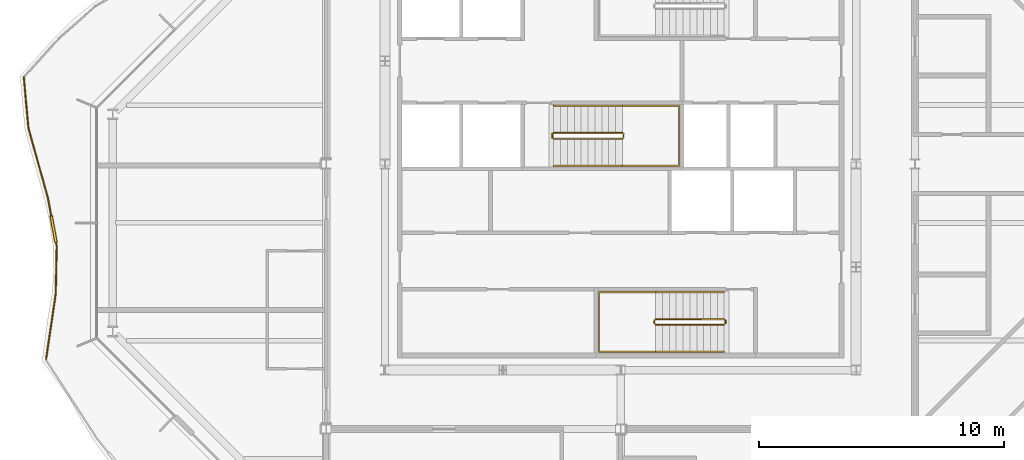
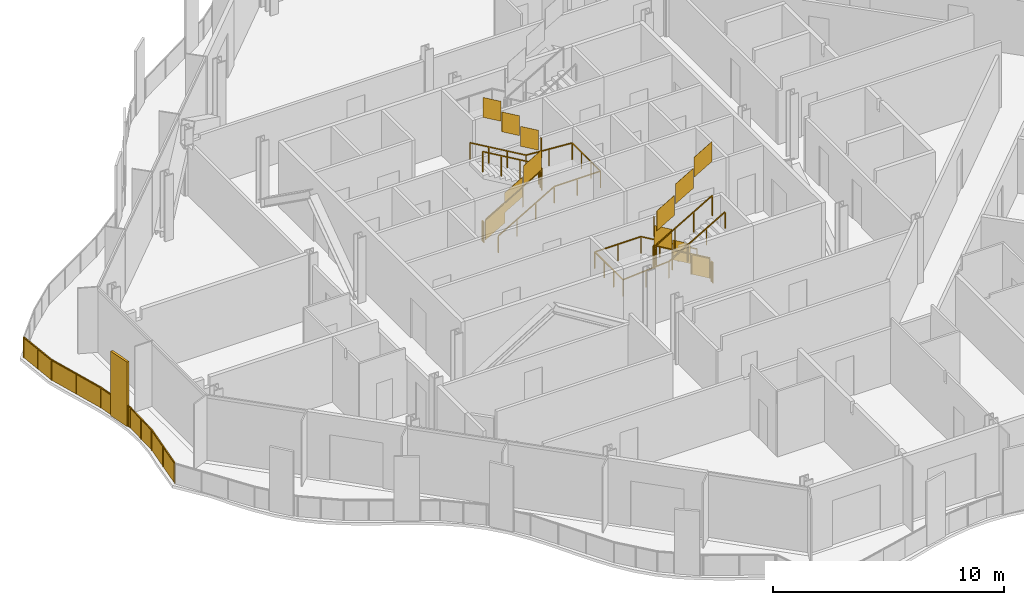
# One storey, part 14 of 17: 7 railings.
"""IFC4 building model written with IfcOpenShell, lengths in metres."""

from ifc_helpers import new_model, si_unit, direction, frame, origin, origin_2d, place, context, subcontext, project, spatial, polyline, rectangle, outline, extrude, material, type_object, element, save


model = new_model("IFC4")

# Units and contexts
model_context = context("Model", 3, precision=1e-05, world=origin(), true_north=direction((0.0, 1.0)))
body_context = subcontext(model_context, "Body", "Model", "MODEL_VIEW")
ifc_project = project(units=[si_unit("LENGTHUNIT", "METRE"), si_unit("AREAUNIT", "SQUARE_METRE"), si_unit("VOLUMEUNIT", "CUBIC_METRE"), si_unit("PLANEANGLEUNIT", "RADIAN"), si_unit("MASSUNIT", "GRAM", prefix="KILO")], contexts=[model_context])

# Site, building, storey
site_placement = place(None, origin())
site = spatial("IfcSite", under=ifc_project, at=site_placement, CompositionType="ELEMENT")
building_placement = place(site_placement, origin())
building = spatial("IfcBuilding", under=site, at=building_placement, Name="Cairn Pilgrim Tower", CompositionType="ELEMENT")
storey_placement = place(building_placement, frame((0.0, 0.0, 228.60009765625)))
storey = spatial("IfcBuildingStorey", under=building, at=storey_placement, Name="L58", CompositionType="ELEMENT", Elevation=228.60009765625)

# Railings
ifc_material_1 = material(Name="Bronze anodised aluminium rail, posts and fin screens with laminated glass infill", Category="aluminium")
railing_type_1 = type_object("IfcRailingType", Name="BALCONY GUARD WITH FIN SCREENS", PredefinedType="GUARDRAIL", material=ifc_material_1)
railing_1_placement = place(storey_placement, frame((-17.125, 5.94091796875, 0.0)))
element("IfcRailing", 1, at=railing_1_placement, inside=storey, type_object=railing_type_1, Name="Balcony guard BGF-7 with fin screens", PredefinedType="GUARDRAIL", context=body_context, shape_type="SweptSolid", body=[
    extrude(rectangle(XDim=0.050048828125, YDim=0.050048828125, at=origin_2d()), frame((0.0, 0.0, 1.0751953125), z_axis=(0.089700508569, -0.99596878403, 0.0), x_axis=(0.99596878403, 0.089700508569, 0.0)), (0.0, 0.0, 1.0), 2.08203125),
    extrude(rectangle(XDim=0.050048828125, YDim=0.050048828125, at=origin_2d()), frame((0.186767578125, -2.07373046875, 1.0751953125), z_axis=(0.268445787799, -0.963294793411, 0.0), x_axis=(0.963294793411, 0.268445787799, 0.0)), (0.0, 0.0, 1.0), 2.98291015625),
    extrude(rectangle(XDim=1.10009765625, YDim=0.110107421875, at=origin_2d()), frame((1.21533203125, -6.2001953125, 0.0), z_axis=(0.0, 0.0, 1.0), x_axis=(0.178765682425, -0.983891676348, 0.0)), (0.0, 0.0, 1.0), 3.39990234375),
    extrude(rectangle(XDim=0.050048828125, YDim=0.050048828125, at=origin_2d()), frame((0.987548828125, -4.947265625, 1.0751953125), z_axis=(0.178765682425, -0.983891676348, 0.0), x_axis=(0.983891676348, 0.178765682425, 0.0)), (0.0, 0.0, 1.0), 0.7236328125),
    extrude(rectangle(XDim=0.050048828125, YDim=0.050048828125, at=origin_2d()), frame((1.3134765625, -6.741455078125, 1.0751953125), z_axis=(0.178765682425, -0.983891676348, 0.0), x_axis=(0.983891676348, 0.178765682425, 0.0)), (0.0, 0.0, 1.0), 0.14990234375),
    extrude(rectangle(XDim=0.050048828125, YDim=0.050048828125, at=origin_2d()), frame((1.34033203125, -6.888916015625, 1.0751953125), z_axis=(-0.020209305606, -0.999795771129, 0.0), x_axis=(0.999795771129, -0.020209305606, 0.0)), (0.0, 0.0, 1.0), 1.945068359375),
    extrude(rectangle(XDim=0.050048828125, YDim=0.050048828125, at=origin_2d()), frame((1.301025390625, -8.83349609375, 1.0751953125), z_axis=(-0.146349262135, -0.989232982402, 0.0), x_axis=(0.989232982402, -0.146349262135, 0.0)), (0.0, 0.0, 1.0), 2.662353515625),
    extrude(rectangle(XDim=0.050048828125, YDim=0.050048828125, at=origin_2d()), origin(), (0.0, 0.0, 1.0), 1.050048828125),
    extrude(rectangle(XDim=0.050048828125, YDim=0.050048828125, at=origin_2d()), frame((0.09326171875, -1.036865234375, 0.0)), (0.0, 0.0, 1.0), 1.050048828125),
    extrude(rectangle(XDim=0.050048828125, YDim=0.050048828125, at=origin_2d()), frame((0.186767578125, -2.07373046875, 0.0)), (0.0, 0.0, 1.0), 1.050048828125),
    extrude(rectangle(XDim=0.050048828125, YDim=0.050048828125, at=origin_2d()), frame((0.587158203125, -3.510498046875, 0.0)), (0.0, 0.0, 1.0), 1.050048828125),
    extrude(rectangle(XDim=0.050048828125, YDim=0.050048828125, at=origin_2d()), frame((0.987548828125, -4.947265625, 0.0)), (0.0, 0.0, 1.0), 1.050048828125),
    extrude(rectangle(XDim=0.050048828125, YDim=0.050048828125, at=origin_2d()), frame((1.1123046875, -5.634521484375, 0.0)), (0.0, 0.0, 1.0), 1.050048828125),
    extrude(rectangle(XDim=0.050048828125, YDim=0.050048828125, at=origin_2d()), frame((1.318115234375, -6.76611328125, 0.0)), (0.0, 0.0, 1.0), 1.050048828125),
    extrude(rectangle(XDim=0.050048828125, YDim=0.050048828125, at=origin_2d()), frame((1.34033203125, -6.888916015625, 0.0)), (0.0, 0.0, 1.0), 1.050048828125),
    extrude(rectangle(XDim=0.050048828125, YDim=0.050048828125, at=origin_2d()), frame((1.32080078125, -7.861328125, 0.0)), (0.0, 0.0, 1.0), 1.050048828125),
    extrude(rectangle(XDim=0.050048828125, YDim=0.050048828125, at=origin_2d()), frame((1.301025390625, -8.83349609375, 0.0)), (0.0, 0.0, 1.0), 1.050048828125),
    extrude(rectangle(XDim=0.050048828125, YDim=0.050048828125, at=origin_2d()), frame((1.106201171875, -10.150390625, 0.0)), (0.0, 0.0, 1.0), 1.050048828125),
    extrude(rectangle(XDim=0.050048828125, YDim=0.050048828125, at=origin_2d()), frame((0.911376953125, -11.46728515625, 0.0)), (0.0, 0.0, 1.0), 1.050048828125),
    extrude(outline(polyline([(0.02490234375, 0.0), (1.01611328125, 0.0), (1.01611328125, 1.050048828125), (0.02490234375, 1.050048828125), (0.02490234375, 0.0)])), frame((0.005859375, 0.00048828125, 0.0), z_axis=(-0.99596878403, -0.089700508569, 0.0), x_axis=(0.089700508569, -0.99596878403, 0.0)), (0.0, 0.0, 1.0), 0.011962890625),
    extrude(outline(polyline([(0.02490234375, 0.0), (1.01611328125, 0.0), (1.01611328125, 1.050048828125), (0.02490234375, 1.050048828125), (0.02490234375, 0.0)])), frame((0.099365234375, -1.036376953125, 0.0), z_axis=(-0.99596878403, -0.089700508569, 0.0), x_axis=(0.089700508569, -0.99596878403, 0.0)), (0.0, 0.0, 1.0), 0.011962890625),
    extrude(outline(polyline([(0.02490234375, 0.0), (1.466552734375, 0.0), (1.466552734375, 1.050048828125), (0.02490234375, 1.050048828125), (0.02490234375, 0.0)])), frame((0.192626953125, -2.072021484375, 0.0), z_axis=(-0.963294793411, -0.268445787799, 0.0), x_axis=(0.268445787799, -0.963294793411, 0.0)), (0.0, 0.0, 1.0), 0.011962890625),
    extrude(outline(polyline([(0.02490234375, 0.0), (1.466552734375, 0.0), (1.466552734375, 1.050048828125), (0.02490234375, 1.050048828125), (0.02490234375, 0.0)])), frame((0.593017578125, -3.5087890625, 0.0), z_axis=(-0.963294793411, -0.268445787799, 0.0), x_axis=(0.268445787799, -0.963294793411, 0.0)), (0.0, 0.0, 1.0), 0.011962890625),
    extrude(outline(polyline([(0.02490234375, 0.0), (0.673583984375, 0.0), (0.673583984375, 1.050048828125), (0.02490234375, 1.050048828125), (0.02490234375, 0.0)])), frame((0.993408203125, -4.9462890625, 0.0), z_axis=(-0.983891676348, -0.178765682425, 0.0), x_axis=(0.178765682425, -0.983891676348, 0.0)), (0.0, 0.0, 1.0), 0.011962890625),
    extrude(outline(polyline([(0.02490234375, 0.0), (0.099853515625, 0.0), (0.099853515625, 1.050048828125), (0.02490234375, 1.050048828125), (0.02490234375, 0.0)])), frame((1.323974609375, -6.764892578125, 0.0), z_axis=(-0.983891676348, -0.178765682425, 0.0), x_axis=(0.178765682425, -0.983891676348, 0.0)), (0.0, 0.0, 1.0), 0.011962890625),
    extrude(outline(polyline([(0.02490234375, 0.0), (0.947509765625, 0.0), (0.947509765625, 1.050048828125), (0.02490234375, 1.050048828125), (0.02490234375, 0.0)])), frame((1.34619140625, -6.888916015625, 0.0), z_axis=(-0.999795771129, 0.020209305606, 0.0), x_axis=(-0.020209305606, -0.999795771129, 0.0)), (0.0, 0.0, 1.0), 0.011962890625),
    extrude(outline(polyline([(0.02490234375, 0.0), (0.947509765625, 0.0), (0.947509765625, 1.050048828125), (0.02490234375, 1.050048828125), (0.02490234375, 0.0)])), frame((1.32666015625, -7.861328125, 0.0), z_axis=(-0.999795771129, 0.020209305606, 0.0), x_axis=(-0.020209305606, -0.999795771129, 0.0)), (0.0, 0.0, 1.0), 0.011962890625),
    extrude(outline(polyline([(0.02490234375, 0.0), (1.30615234375, 0.0), (1.30615234375, 1.050048828125), (0.02490234375, 1.050048828125), (0.02490234375, 0.0)])), frame((1.306884765625, -8.83447265625, 0.0), z_axis=(-0.989232982402, 0.146349262135, 0.0), x_axis=(-0.146349262135, -0.989232982402, 0.0)), (0.0, 0.0, 1.0), 0.011962890625),
    extrude(outline(polyline([(0.02490234375, 0.0), (1.30615234375, 0.0), (1.30615234375, 1.050048828125), (0.02490234375, 1.050048828125), (0.02490234375, 0.0)])), frame((1.112060546875, -10.1513671875, 0.0), z_axis=(-0.989232982402, 0.146349262135, 0.0), x_axis=(-0.146349262135, -0.989232982402, 0.0)), (0.0, 0.0, 1.0), 0.011962890625),
])
ifc_material_2 = material(Name="Painted steel", Category="steel")
railing_type_2 = type_object("IfcRailingType", Name="STAIR GUARD 1100", PredefinedType="GUARDRAIL", material=ifc_material_2)
railing_2_placement = place(storey_placement, frame((11.425048828125, -3.925048828125, 0.16357421875)))
element("IfcRailing", 2, at=railing_2_placement, inside=storey, type_object=railing_type_2, Name="L58 ST-A stair guard 1", PredefinedType="GUARDRAIL", context=body_context, shape_type="SweptSolid", body=[
    extrude(rectangle(XDim=0.048095703125, YDim=0.048095703125, at=origin_2d()), frame((0.0, 0.0, 1.076171875), z_axis=(-0.863393664356, 0.0, 0.504530851732), x_axis=(0.0, -1.0, 0.0)), (0.0, 0.0, 1.0), 3.2431640625),
    extrude(rectangle(XDim=0.048095703125, YDim=0.048095703125, at=origin_2d()), frame((-2.800048828125, 0.0, 2.71240234375), z_axis=(-0.707106781187, -0.707106781187, 0.0), x_axis=(0.707106781187, -0.707106781187, 0.0)), (0.0, 0.0, 1.0), 0.07080078125),
    extrude(rectangle(XDim=0.048095703125, YDim=0.048095703125, at=origin_2d()), frame((-2.85009765625, -0.050048828125, 2.71240234375), z_axis=(0.0, -1.0, 0.0), x_axis=(1.0, 0.0, 0.0)), (0.0, 0.0, 1.0), 0.125),
    extrude(rectangle(XDim=0.048095703125, YDim=0.048095703125, at=origin_2d()), frame((-2.85009765625, -0.175048828125, 2.71240234375), z_axis=(0.280563532951, -0.279194930351, 0.91833234444), x_axis=(0.705375805398, 0.708833529934, 0.0)), (0.0, 0.0, 1.0), 0.178466796875),
    extrude(rectangle(XDim=0.048095703125, YDim=0.048095703125, at=origin_2d()), frame((-2.800048828125, -0.224853515625, 2.8759765625), z_axis=(0.863393664356, 0.0, 0.504530851732), x_axis=(0.0, 1.0, 0.0)), (0.0, 0.0, 1.0), 3.2431640625),
    extrude(rectangle(XDim=0.0419921875, YDim=0.0419921875, at=origin_2d()), origin(), (0.0, 0.0, 1.0), 1.052001953125),
    extrude(rectangle(XDim=0.0419921875, YDim=0.0419921875, at=origin_2d()), frame((-0.933349609375, 0.0, 0.54541015625)), (0.0, 0.0, 1.0), 1.052001953125),
    extrude(rectangle(XDim=0.0419921875, YDim=0.0419921875, at=origin_2d()), frame((-1.86669921875, 0.0, 1.0908203125)), (0.0, 0.0, 1.0), 1.052001953125),
    extrude(rectangle(XDim=0.0419921875, YDim=0.0419921875, at=origin_2d()), frame((-2.800048828125, 0.0, 1.63623046875)), (0.0, 0.0, 1.0), 1.052001953125),
    extrude(rectangle(XDim=0.0419921875, YDim=0.0419921875, at=origin_2d()), frame((-2.85009765625, -0.050048828125, 1.63623046875)), (0.0, 0.0, 1.0), 1.052001953125),
    extrude(rectangle(XDim=0.0419921875, YDim=0.0419921875, at=origin_2d()), frame((-2.85009765625, -0.175048828125, 1.63623046875)), (0.0, 0.0, 1.0), 1.052001953125),
    extrude(rectangle(XDim=0.0419921875, YDim=0.0419921875, at=origin_2d()), frame((-2.800048828125, -0.224853515625, 1.800048828125)), (0.0, 0.0, 1.0), 1.052001953125),
    extrude(rectangle(XDim=0.0419921875, YDim=0.0419921875, at=origin_2d()), frame((-1.86669921875, -0.224853515625, 2.345458984375)), (0.0, 0.0, 1.0), 1.052001953125),
    extrude(rectangle(XDim=0.0419921875, YDim=0.0419921875, at=origin_2d()), frame((-0.933349609375, -0.224853515625, 2.890869140625)), (0.0, 0.0, 1.0), 1.052001953125),
    extrude(rectangle(XDim=0.0419921875, YDim=0.0419921875, at=origin_2d()), frame((0.0, -0.224853515625, 3.436279296875)), (0.0, 0.0, 1.0), 1.052001953125),
    extrude(outline(polyline([(0.02099609375, 0.01220703125), (0.912353515625, 0.533203125), (0.912353515625, 1.585205078125), (0.02099609375, 1.064208984375), (0.02099609375, 0.01220703125)])), frame((0.0, -0.005859375, 0.0), z_axis=(0.0, 1.0, 0.0), x_axis=(-1.0, 0.0, 0.0)), (0.0, 0.0, 1.0), 0.011962890625),
    extrude(outline(polyline([(0.02099609375, 0.5576171875), (0.912353515625, 1.07861328125), (0.912353515625, 2.130615234375), (0.02099609375, 1.609619140625), (0.02099609375, 0.5576171875)])), frame((-0.933349609375, -0.005859375, 0.54541015625), z_axis=(0.0, 1.0, 0.0), x_axis=(-1.0, 0.0, 0.0)), (0.0, 0.0, 1.0), 0.011962890625),
    extrude(outline(polyline([(0.02099609375, 1.10302734375), (0.912353515625, 1.6240234375), (0.912353515625, 2.676025390625), (0.02099609375, 2.155029296875), (0.02099609375, 1.10302734375)])), frame((-1.86669921875, -0.005859375, 1.0908203125), z_axis=(0.0, 1.0, 0.0), x_axis=(-1.0, 0.0, 0.0)), (0.0, 0.0, 1.0), 0.011962890625),
    extrude(outline(polyline([(0.02099609375, 1.63623046875), (0.10400390625, 1.63623046875), (0.10400390625, 2.688232421875), (0.02099609375, 2.688232421875), (0.02099609375, 1.63623046875)])), frame((-2.84423828125, -0.050048828125, 1.63623046875), z_axis=(-1.0, 0.0, 0.0), x_axis=(0.0, -1.0, 0.0)), (0.0, 0.0, 1.0), 0.011962890625),
    extrude(outline(polyline([(0.02099609375, 1.812255859375), (0.912353515625, 2.333251953125), (0.912353515625, 3.38525390625), (0.02099609375, 2.8642578125), (0.02099609375, 1.812255859375)])), frame((-2.800048828125, -0.21875, 1.800048828125), z_axis=(0.0, -1.0, 0.0), x_axis=(1.0, 0.0, 0.0)), (0.0, 0.0, 1.0), 0.011962890625),
    extrude(outline(polyline([(0.02099609375, 2.357666015625), (0.912353515625, 2.878662109375), (0.912353515625, 3.9306640625), (0.02099609375, 3.40966796875), (0.02099609375, 2.357666015625)])), frame((-1.86669921875, -0.21875, 2.345458984375), z_axis=(0.0, -1.0, 0.0), x_axis=(1.0, 0.0, 0.0)), (0.0, 0.0, 1.0), 0.011962890625),
    extrude(outline(polyline([(0.02099609375, 2.903076171875), (0.912353515625, 3.424072265625), (0.912353515625, 4.47607421875), (0.02099609375, 3.955078125), (0.02099609375, 2.903076171875)])), frame((-0.933349609375, -0.21875, 2.890869140625), z_axis=(0.0, -1.0, 0.0), x_axis=(1.0, 0.0, 0.0)), (0.0, 0.0, 1.0), 0.011962890625),
])
railing_3_placement = place(storey_placement, frame((11.47509765625, -3.97509765625, 0.0)))
element("IfcRailing", 3, at=railing_3_placement, inside=storey, type_object=railing_type_2, Name="L58 ST-A stair guard 2", PredefinedType="GUARDRAIL", context=body_context, shape_type="SweptSolid", body=[
    extrude(rectangle(XDim=0.048095703125, YDim=0.048095703125, at=origin_2d()), frame((0.0, 0.0, 1.076171875), z_axis=(0.0, -1.0, 0.0), x_axis=(1.0, 0.0, 0.0)), (0.0, 0.0, 1.0), 0.125),
    extrude(rectangle(XDim=0.0419921875, YDim=0.0419921875, at=origin_2d()), origin(), (0.0, 0.0, 1.0), 1.052001953125),
    extrude(rectangle(XDim=0.0419921875, YDim=0.0419921875, at=origin_2d()), frame((0.0, -0.125, 0.0)), (0.0, 0.0, 1.0), 1.052001953125),
    extrude(outline(polyline([(0.02099609375, 0.0), (0.10400390625, 0.0), (0.10400390625, 1.052001953125), (0.02099609375, 1.052001953125), (0.02099609375, 0.0)])), frame((0.005859375, 0.0, 0.0), z_axis=(-1.0, 0.0, 0.0), x_axis=(0.0, -1.0, 0.0)), (0.0, 0.0, 1.0), 0.011962890625),
])
railing_4_placement = place(storey_placement, frame((4.47509765625, 3.425048828125, 0.16357421875)))
element("IfcRailing", 4, at=railing_4_placement, inside=storey, type_object=railing_type_2, Name="L58 ST-B stair guard 1", PredefinedType="GUARDRAIL", context=body_context, shape_type="SweptSolid", body=[
    extrude(rectangle(XDim=0.048095703125, YDim=0.048095703125, at=origin_2d()), frame((0.0, 0.0, 1.076171875), z_axis=(0.863374499697, 0.0, 0.504563646405), x_axis=(0.0, 1.0, 0.0)), (0.0, 0.0, 1.0), 3.242919921875),
    extrude(rectangle(XDim=0.048095703125, YDim=0.048095703125, at=origin_2d()), frame((2.7998046875, 0.0, 2.71240234375), z_axis=(0.707106781187, 0.707106781187, 0.0), x_axis=(-0.707106781187, 0.707106781187, 0.0)), (0.0, 0.0, 1.0), 0.07080078125),
    extrude(rectangle(XDim=0.048095703125, YDim=0.048095703125, at=origin_2d()), frame((2.849853515625, 0.050048828125, 2.71240234375), z_axis=(0.0, 1.0, 0.0), x_axis=(-1.0, 0.0, 0.0)), (0.0, 0.0, 1.0), 0.14990234375),
    extrude(rectangle(XDim=0.048095703125, YDim=0.048095703125, at=origin_2d()), frame((2.849853515625, 0.199951171875, 2.71240234375), z_axis=(-0.280456126637, 0.280456126637, 0.917980785237), x_axis=(-0.707106781187, -0.707106781187, 0.0)), (0.0, 0.0, 1.0), 0.178466796875),
    extrude(rectangle(XDim=0.048095703125, YDim=0.048095703125, at=origin_2d()), frame((2.7998046875, 0.25, 2.8759765625), z_axis=(-0.863374499697, 0.0, 0.504563646405), x_axis=(0.0, -1.0, 0.0)), (0.0, 0.0, 1.0), 3.242919921875),
    extrude(rectangle(XDim=0.0419921875, YDim=0.0419921875, at=origin_2d()), origin(), (0.0, 0.0, 1.0), 1.052001953125),
    extrude(rectangle(XDim=0.0419921875, YDim=0.0419921875, at=origin_2d()), frame((0.933349609375, 0.0, 0.54541015625)), (0.0, 0.0, 1.0), 1.052001953125),
    extrude(rectangle(XDim=0.0419921875, YDim=0.0419921875, at=origin_2d()), frame((1.866455078125, 0.0, 1.0908203125)), (0.0, 0.0, 1.0), 1.052001953125),
    extrude(rectangle(XDim=0.0419921875, YDim=0.0419921875, at=origin_2d()), frame((2.7998046875, 0.0, 1.63623046875)), (0.0, 0.0, 1.0), 1.052001953125),
    extrude(rectangle(XDim=0.0419921875, YDim=0.0419921875, at=origin_2d()), frame((2.849853515625, 0.050048828125, 1.63623046875)), (0.0, 0.0, 1.0), 1.052001953125),
    extrude(rectangle(XDim=0.0419921875, YDim=0.0419921875, at=origin_2d()), frame((2.849853515625, 0.199951171875, 1.63623046875)), (0.0, 0.0, 1.0), 1.052001953125),
    extrude(rectangle(XDim=0.0419921875, YDim=0.0419921875, at=origin_2d()), frame((2.7998046875, 0.25, 1.800048828125)), (0.0, 0.0, 1.0), 1.052001953125),
    extrude(rectangle(XDim=0.0419921875, YDim=0.0419921875, at=origin_2d()), frame((1.866455078125, 0.25, 2.345458984375)), (0.0, 0.0, 1.0), 1.052001953125),
    extrude(rectangle(XDim=0.0419921875, YDim=0.0419921875, at=origin_2d()), frame((0.933349609375, 0.25, 2.890869140625)), (0.0, 0.0, 1.0), 1.052001953125),
    extrude(rectangle(XDim=0.0419921875, YDim=0.0419921875, at=origin_2d()), frame((0.0, 0.25, 3.436279296875)), (0.0, 0.0, 1.0), 1.052001953125),
    extrude(outline(polyline([(0.02099609375, 0.01220703125), (0.912353515625, 0.533203125), (0.912353515625, 1.585205078125), (0.02099609375, 1.064208984375), (0.02099609375, 0.01220703125)])), frame((0.0, 0.005859375, 0.0), z_axis=(0.0, -1.0, 0.0), x_axis=(1.0, 0.0, 0.0)), (0.0, 0.0, 1.0), 0.011962890625),
    extrude(outline(polyline([(0.02099609375, 0.5576171875), (0.912353515625, 1.07861328125), (0.912353515625, 2.130615234375), (0.02099609375, 1.609619140625), (0.02099609375, 0.5576171875)])), frame((0.933349609375, 0.005859375, 0.54541015625), z_axis=(0.0, -1.0, 0.0), x_axis=(1.0, 0.0, 0.0)), (0.0, 0.0, 1.0), 0.011962890625),
    extrude(outline(polyline([(0.02099609375, 1.10302734375), (0.912353515625, 1.6240234375), (0.912353515625, 2.676025390625), (0.02099609375, 2.155029296875), (0.02099609375, 1.10302734375)])), frame((1.866455078125, 0.005859375, 1.0908203125), z_axis=(0.0, -1.0, 0.0), x_axis=(1.0, 0.0, 0.0)), (0.0, 0.0, 1.0), 0.011962890625),
    extrude(outline(polyline([(0.02099609375, 1.63623046875), (0.12890625, 1.63623046875), (0.12890625, 2.688232421875), (0.02099609375, 2.688232421875), (0.02099609375, 1.63623046875)])), frame((2.84375, 0.050048828125, 1.63623046875), z_axis=(1.0, 0.0, 0.0), x_axis=(0.0, 1.0, 0.0)), (0.0, 0.0, 1.0), 0.011962890625),
    extrude(outline(polyline([(0.02099609375, 1.812255859375), (0.912353515625, 2.333251953125), (0.912353515625, 3.38525390625), (0.02099609375, 2.8642578125), (0.02099609375, 1.812255859375)])), frame((2.7998046875, 0.244140625, 1.800048828125), z_axis=(0.0, 1.0, 0.0), x_axis=(-1.0, 0.0, 0.0)), (0.0, 0.0, 1.0), 0.011962890625),
    extrude(outline(polyline([(0.02099609375, 2.357666015625), (0.912353515625, 2.878662109375), (0.912353515625, 3.9306640625), (0.02099609375, 3.40966796875), (0.02099609375, 2.357666015625)])), frame((1.866455078125, 0.244140625, 2.345458984375), z_axis=(0.0, 1.0, 0.0), x_axis=(-1.0, 0.0, 0.0)), (0.0, 0.0, 1.0), 0.011962890625),
    extrude(outline(polyline([(0.02099609375, 2.903076171875), (0.912353515625, 3.424072265625), (0.912353515625, 4.47607421875), (0.02099609375, 3.955078125), (0.02099609375, 2.903076171875)])), frame((0.933349609375, 0.244140625, 2.890869140625), z_axis=(0.0, 1.0, 0.0), x_axis=(-1.0, 0.0, 0.0)), (0.0, 0.0, 1.0), 0.011962890625),
])
railing_5_placement = place(storey_placement, frame((4.425048828125, 3.47509765625, 0.0)))
element("IfcRailing", 5, at=railing_5_placement, inside=storey, type_object=railing_type_2, Name="L58 ST-B stair guard 2", PredefinedType="GUARDRAIL", context=body_context, shape_type="SweptSolid", body=[
    extrude(rectangle(XDim=0.048095703125, YDim=0.048095703125, at=origin_2d()), frame((0.0, 0.0, 1.076171875), z_axis=(0.0, 1.0, 0.0), x_axis=(-1.0, 0.0, 0.0)), (0.0, 0.0, 1.0), 0.14990234375),
    extrude(rectangle(XDim=0.0419921875, YDim=0.0419921875, at=origin_2d()), origin(), (0.0, 0.0, 1.0), 1.052001953125),
    extrude(rectangle(XDim=0.0419921875, YDim=0.0419921875, at=origin_2d()), frame((0.0, 0.14990234375, 0.0)), (0.0, 0.0, 1.0), 1.052001953125),
    extrude(outline(polyline([(0.02099609375, 0.0), (0.12890625, 0.0), (0.12890625, 1.052001953125), (0.02099609375, 1.052001953125), (0.02099609375, 0.0)])), frame((-0.005859375, 0.0, 0.0), z_axis=(1.0, 0.0, 0.0), x_axis=(0.0, 1.0, 0.0)), (0.0, 0.0, 1.0), 0.011962890625),
])
railing_type_3 = type_object("IfcRailingType", Name="STAIR HANDRAIL 900", PredefinedType="HANDRAIL", material=ifc_material_2)
railing_6_placement = place(storey_placement, frame((11.425048828125, -2.824951171875, 0.16357421875)))
element("IfcRailing", 6, at=railing_6_placement, inside=storey, type_object=railing_type_3, Name="L58 ST-A stair handrail 1", PredefinedType="HANDRAIL", context=body_context, shape_type="SweptSolid", body=[
    extrude(rectangle(XDim=0.048095703125, YDim=0.048095703125, at=origin_2d()), frame((0.0, 0.0, 0.8759765625), z_axis=(-0.863393664356, 0.0, 0.504530851732), x_axis=(0.0, -1.0, 0.0)), (0.0, 0.0, 1.0), 3.2431640625),
    extrude(rectangle(XDim=0.048095703125, YDim=0.048095703125, at=origin_2d()), frame((-2.800048828125, 0.0, 2.51220703125), z_axis=(-1.0, 0.0, 0.0), x_axis=(0.0, -1.0, 0.0)), (0.0, 0.0, 1.0), 2.300048828125),
    extrude(rectangle(XDim=0.048095703125, YDim=0.048095703125, at=origin_2d()), frame((-5.10009765625, 0.0, 2.51220703125), z_axis=(0.0, -1.0, 0.0), x_axis=(1.0, 0.0, 0.0)), (0.0, 0.0, 1.0), 2.425048828125),
    extrude(rectangle(XDim=0.048095703125, YDim=0.048095703125, at=origin_2d()), frame((-5.10009765625, -2.425048828125, 2.51220703125), z_axis=(0.99747319029, 0.0, 0.071043892441), x_axis=(0.0, 1.0, 0.0)), (0.0, 0.0, 1.0), 2.305908203125),
    extrude(rectangle(XDim=0.048095703125, YDim=0.048095703125, at=origin_2d()), frame((-2.800048828125, -2.425048828125, 2.67578125), z_axis=(0.863393664356, 0.0, 0.504530851732), x_axis=(0.0, 1.0, 0.0)), (0.0, 0.0, 1.0), 3.2431640625),
    extrude(rectangle(XDim=0.0419921875, YDim=0.0419921875, at=origin_2d()), origin(), (0.0, 0.0, 1.0), 0.851806640625),
    extrude(rectangle(XDim=0.0419921875, YDim=0.0419921875, at=origin_2d()), frame((-0.933349609375, 0.0, 0.54541015625)), (0.0, 0.0, 1.0), 0.851806640625),
    extrude(rectangle(XDim=0.0419921875, YDim=0.0419921875, at=origin_2d()), frame((-1.86669921875, 0.0, 1.0908203125)), (0.0, 0.0, 1.0), 0.851806640625),
    extrude(rectangle(XDim=0.0419921875, YDim=0.0419921875, at=origin_2d()), frame((-2.800048828125, 0.0, 1.63623046875)), (0.0, 0.0, 1.0), 0.851806640625),
    extrude(rectangle(XDim=0.0419921875, YDim=0.0419921875, at=origin_2d()), frame((-3.9501953125, 0.0, 1.63623046875)), (0.0, 0.0, 1.0), 0.851806640625),
    extrude(rectangle(XDim=0.0419921875, YDim=0.0419921875, at=origin_2d()), frame((-5.10009765625, 0.0, 1.63623046875)), (0.0, 0.0, 1.0), 0.851806640625),
    extrude(rectangle(XDim=0.0419921875, YDim=0.0419921875, at=origin_2d()), frame((-5.10009765625, -0.808349609375, 1.63623046875)), (0.0, 0.0, 1.0), 0.851806640625),
    extrude(rectangle(XDim=0.0419921875, YDim=0.0419921875, at=origin_2d()), frame((-5.10009765625, -1.61669921875, 1.63623046875)), (0.0, 0.0, 1.0), 0.851806640625),
    extrude(rectangle(XDim=0.0419921875, YDim=0.0419921875, at=origin_2d()), frame((-5.10009765625, -2.425048828125, 1.63623046875)), (0.0, 0.0, 1.0), 0.851806640625),
    extrude(rectangle(XDim=0.0419921875, YDim=0.0419921875, at=origin_2d()), frame((-3.9501953125, -2.425048828125, 1.71826171875)), (0.0, 0.0, 1.0), 0.851806640625),
    extrude(rectangle(XDim=0.0419921875, YDim=0.0419921875, at=origin_2d()), frame((-2.800048828125, -2.425048828125, 1.800048828125)), (0.0, 0.0, 1.0), 0.851806640625),
    extrude(rectangle(XDim=0.0419921875, YDim=0.0419921875, at=origin_2d()), frame((-1.86669921875, -2.425048828125, 2.345458984375)), (0.0, 0.0, 1.0), 0.851806640625),
    extrude(rectangle(XDim=0.0419921875, YDim=0.0419921875, at=origin_2d()), frame((-0.933349609375, -2.425048828125, 2.890869140625)), (0.0, 0.0, 1.0), 0.851806640625),
    extrude(rectangle(XDim=0.0419921875, YDim=0.0419921875, at=origin_2d()), frame((0.0, -2.425048828125, 3.436279296875)), (0.0, 0.0, 1.0), 0.851806640625),
])
railing_7_placement = place(storey_placement, frame((4.47509765625, 2.324951171875, 0.16357421875)))
element("IfcRailing", 7, at=railing_7_placement, inside=storey, type_object=railing_type_3, Name="L58 ST-B stair handrail 1", PredefinedType="HANDRAIL", context=body_context, shape_type="SweptSolid", body=[
    extrude(rectangle(XDim=0.048095703125, YDim=0.048095703125, at=origin_2d()), frame((0.0, 0.0, 0.8759765625), z_axis=(0.863374499697, 0.0, 0.504563646405), x_axis=(0.0, 1.0, 0.0)), (0.0, 0.0, 1.0), 3.242919921875),
    extrude(rectangle(XDim=0.048095703125, YDim=0.048095703125, at=origin_2d()), frame((2.7998046875, 0.0, 2.51220703125), z_axis=(1.0, 0.0, 0.0), x_axis=(0.0, 1.0, 0.0)), (0.0, 0.0, 1.0), 2.300048828125),
    extrude(rectangle(XDim=0.048095703125, YDim=0.048095703125, at=origin_2d()), frame((5.099853515625, 0.0, 2.51220703125), z_axis=(0.0, 1.0, 0.0), x_axis=(-1.0, 0.0, 0.0)), (0.0, 0.0, 1.0), 2.449951171875),
    extrude(rectangle(XDim=0.048095703125, YDim=0.048095703125, at=origin_2d()), frame((5.099853515625, 2.449951171875, 2.51220703125), z_axis=(-0.99747319029, 0.0, 0.071043892441), x_axis=(0.0, -1.0, 0.0)), (0.0, 0.0, 1.0), 2.305908203125),
    extrude(rectangle(XDim=0.048095703125, YDim=0.048095703125, at=origin_2d()), frame((2.7998046875, 2.449951171875, 2.67578125), z_axis=(-0.863374499697, 0.0, 0.504563646405), x_axis=(0.0, -1.0, 0.0)), (0.0, 0.0, 1.0), 3.242919921875),
    extrude(rectangle(XDim=0.0419921875, YDim=0.0419921875, at=origin_2d()), origin(), (0.0, 0.0, 1.0), 0.851806640625),
    extrude(rectangle(XDim=0.0419921875, YDim=0.0419921875, at=origin_2d()), frame((0.933349609375, 0.0, 0.54541015625)), (0.0, 0.0, 1.0), 0.851806640625),
    extrude(rectangle(XDim=0.0419921875, YDim=0.0419921875, at=origin_2d()), frame((1.866455078125, 0.0, 1.0908203125)), (0.0, 0.0, 1.0), 0.851806640625),
    extrude(rectangle(XDim=0.0419921875, YDim=0.0419921875, at=origin_2d()), frame((2.7998046875, 0.0, 1.63623046875)), (0.0, 0.0, 1.0), 0.851806640625),
    extrude(rectangle(XDim=0.0419921875, YDim=0.0419921875, at=origin_2d()), frame((3.94970703125, 0.0, 1.63623046875)), (0.0, 0.0, 1.0), 0.851806640625),
    extrude(rectangle(XDim=0.0419921875, YDim=0.0419921875, at=origin_2d()), frame((5.099853515625, 0.0, 1.63623046875)), (0.0, 0.0, 1.0), 0.851806640625),
    extrude(rectangle(XDim=0.0419921875, YDim=0.0419921875, at=origin_2d()), frame((5.099853515625, 0.816650390625, 1.63623046875)), (0.0, 0.0, 1.0), 0.851806640625),
    extrude(rectangle(XDim=0.0419921875, YDim=0.0419921875, at=origin_2d()), frame((5.099853515625, 1.63330078125, 1.63623046875)), (0.0, 0.0, 1.0), 0.851806640625),
    extrude(rectangle(XDim=0.0419921875, YDim=0.0419921875, at=origin_2d()), frame((5.099853515625, 2.449951171875, 1.63623046875)), (0.0, 0.0, 1.0), 0.851806640625),
    extrude(rectangle(XDim=0.0419921875, YDim=0.0419921875, at=origin_2d()), frame((3.94970703125, 2.449951171875, 1.71826171875)), (0.0, 0.0, 1.0), 0.851806640625),
    extrude(rectangle(XDim=0.0419921875, YDim=0.0419921875, at=origin_2d()), frame((2.7998046875, 2.449951171875, 1.800048828125)), (0.0, 0.0, 1.0), 0.851806640625),
    extrude(rectangle(XDim=0.0419921875, YDim=0.0419921875, at=origin_2d()), frame((1.866455078125, 2.449951171875, 2.345458984375)), (0.0, 0.0, 1.0), 0.851806640625),
    extrude(rectangle(XDim=0.0419921875, YDim=0.0419921875, at=origin_2d()), frame((0.933349609375, 2.449951171875, 2.890869140625)), (0.0, 0.0, 1.0), 0.851806640625),
    extrude(rectangle(XDim=0.0419921875, YDim=0.0419921875, at=origin_2d()), frame((0.0, 2.449951171875, 3.436279296875)), (0.0, 0.0, 1.0), 0.851806640625),
])

save(model, "model.ifc")
